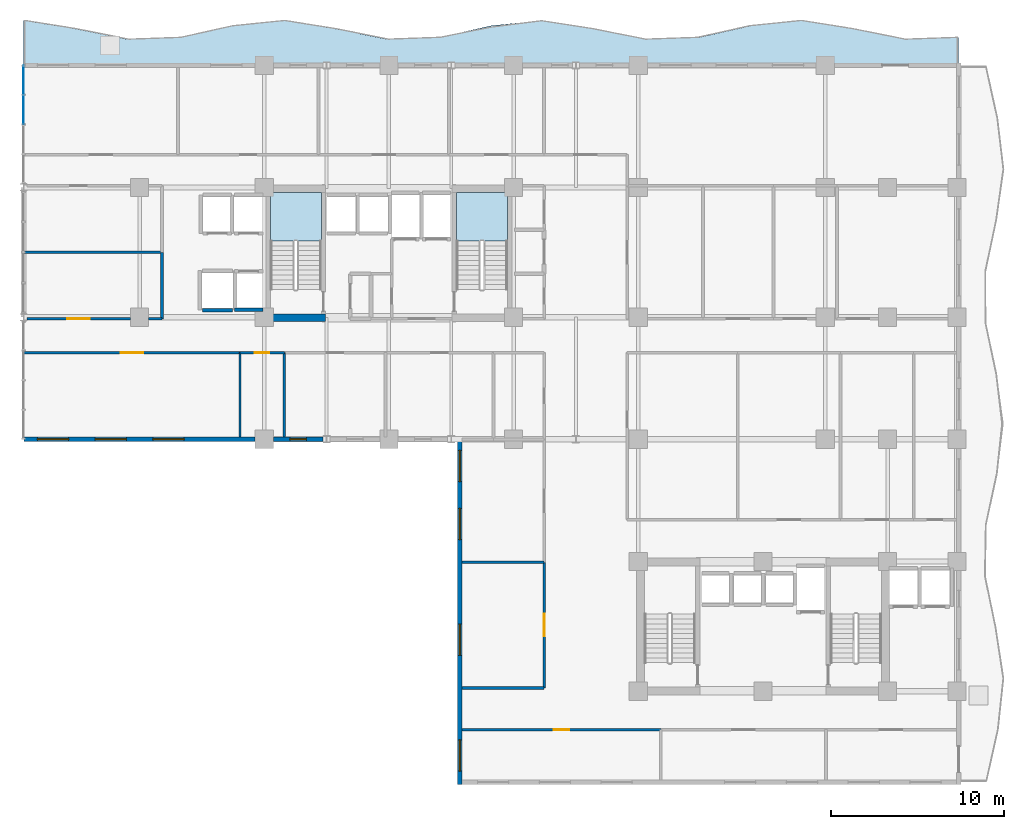
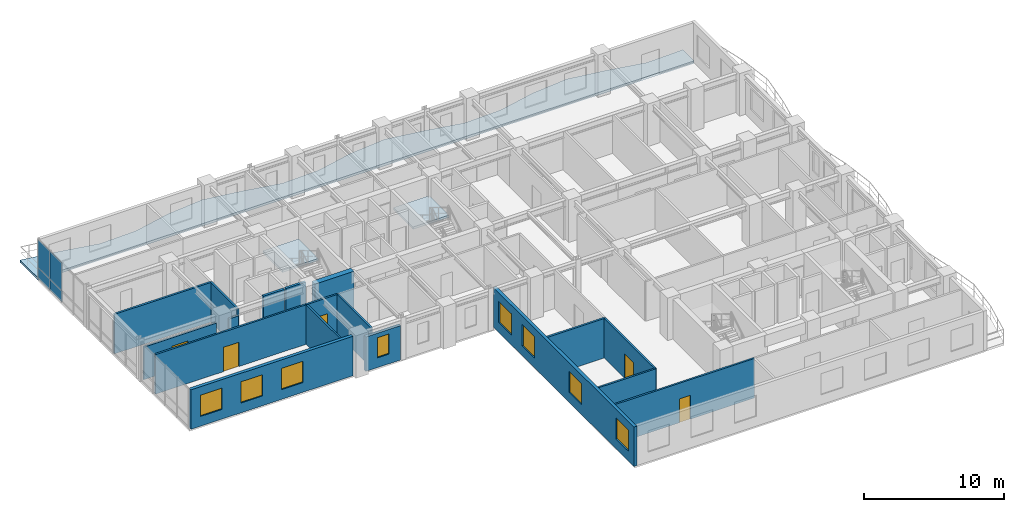
# One storey, part 10 of 19: 18 walls, 8 windows, 5 doors, 4 plates, 3 slabs, 13 openings, 3 elements without a shape of their own.
"""IFC4 building model written with IfcOpenShell, lengths in metres."""

from ifc_helpers import new_model, si_unit, direction, frame, frame_2d, origin, origin_2d, place, context, subcontext, project, spatial, polyline, rectangle, outline, extrude, source, transform, mapped, material, layer, layer_set, type_object, element, fill, aggregate, save


model = new_model("IFC4")

# Units and contexts
model_context = context("Model", 3, precision=1e-05, world=origin(), true_north=direction((0.0, 1.0)))
body_context = subcontext(model_context, "Body", "Model", "MODEL_VIEW")
ifc_project = project(units=[si_unit("LENGTHUNIT", "METRE"), si_unit("AREAUNIT", "SQUARE_METRE"), si_unit("VOLUMEUNIT", "CUBIC_METRE"), si_unit("PLANEANGLEUNIT", "RADIAN"), si_unit("MASSUNIT", "GRAM", prefix="KILO")], contexts=[model_context])

# Site, building, storey
site_placement = place(None, origin())
site = spatial("IfcSite", under=ifc_project, at=site_placement, CompositionType="ELEMENT")
building_placement = place(site_placement, origin())
building = spatial("IfcBuilding", under=site, at=building_placement, Name="Kaliganga Portal Commons", CompositionType="ELEMENT")
storey_placement = place(building_placement, frame((0.0, 0.0, 140.199951171875)))
storey = spatial("IfcBuildingStorey", under=building, at=storey_placement, Name="L35", CompositionType="ELEMENT", Elevation=140.199951171875)

# Slab
ifc_material_1 = material(Name="Concrete C40/50", Category="concrete")
ifc_layer_1 = layer(ifc_material_1, 0.2099609375)
ifc_layer_set_1 = layer_set([ifc_layer_1], Name="Concrete C40/50")
slab_type_1 = type_object("IfcSlabType", Name="SLB-BALC-210", PredefinedType="FLOOR", material=ifc_layer_set_1)
slab_1_placement = place(storey_placement, frame((0.0, 0.0, -0.2099609375)))
element("IfcSlab", 1, at=slab_1_placement, inside=storey, type_object=slab_type_1, Name="Scalloped Tree-Planter Balcony Slab L35 balc_north", PredefinedType="FLOOR", context=body_context, shape_type="SweptSolid", body=[
    extrude(outline(polyline([(54.5, 43.199951171875), (54.5, 44.8125), (51.5, 44.7060546875), (48.5, 45.31201171875), (45.5, 45.79296875), (42.5, 45.484130859375), (39.5, 44.8125), (36.5, 44.7060546875), (33.5, 45.31201171875), (30.5, 45.79296875), (27.5, 45.484130859375), (24.5, 44.8125), (21.5, 44.7060546875), (18.5, 45.31201171875), (15.5, 45.79296875), (12.5, 45.484130859375), (9.5, 44.8125), (6.5, 44.7060546875), (3.5, 45.31201171875), (0.5, 45.79296875), (0.5, 43.199951171875), (54.5, 43.199951171875)])), origin(), (0.0, 0.0, 1.0), 0.2099609375),
])

# Stair, slab
stair_type = type_object("IfcStairType", Name="ST-CORE-DOGLEG", PredefinedType="HALF_TURN_STAIR", material=ifc_material_1)
stair_1_placement = place(storey_placement, origin())
stair_1 = element("IfcStair", 2, at=stair_1_placement, inside=storey, type_object=stair_type, Name="L35 Protected Exit Stair ST-A1", PredefinedType="HALF_TURN_STAIR")
ifc_layer_2 = layer(ifc_material_1, 0.199951171875)
ifc_layer_set_2 = layer_set([ifc_layer_2], Name="Concrete C40/50")
slab_type_2 = type_object("IfcSlabType", Name="SLB-STAIR-LND", PredefinedType="LANDING", material=ifc_layer_set_2)
slab_2_placement = place(storey_placement, frame((0.0, 0.0, 1.650146484375)))
slab_2 = element("IfcSlab", 3, at=slab_2_placement, type_object=slab_type_2, Name="ST-A1 landing 1", PredefinedType="LANDING", context=body_context, shape_type="SweptSolid", body=[
    extrude(outline(polyline([(17.699951171875, 33.050048828125), (17.699951171875, 35.85009765625), (14.75, 35.85009765625), (14.75, 33.050048828125), (17.699951171875, 33.050048828125)])), origin(), (0.0, 0.0, 1.0), 0.199951171875),
])
aggregate(stair_1, [slab_2])

stair_2_placement = place(storey_placement, origin())
stair_2 = element("IfcStair", 4, at=stair_2_placement, inside=storey, type_object=stair_type, Name="L35 Protected Exit Stair ST-A2", PredefinedType="HALF_TURN_STAIR")
slab_3_placement = place(storey_placement, frame((0.0, 0.0, 1.650146484375)))
slab_3 = element("IfcSlab", 5, at=slab_3_placement, type_object=slab_type_2, Name="ST-A2 landing 1", PredefinedType="LANDING", context=body_context, shape_type="SweptSolid", body=[
    extrude(outline(polyline([(28.449951171875, 33.050048828125), (28.449951171875, 35.85009765625), (25.5, 35.85009765625), (25.5, 33.050048828125), (28.449951171875, 33.050048828125)])), origin(), (0.0, 0.0, 1.0), 0.199951171875),
])
aggregate(stair_2, [slab_3])

# Curtain wall, plates
ifc_material_2 = material(Name="Anodized Aluminium and Laminated Low-E Glass", Category="aluminium")
ifc_layer_3 = layer(ifc_material_2, 0.199951171875)
ifc_layer_set_3 = layer_set([ifc_layer_3], Name="Anodized Aluminium and Laminated Low-E Glass")
curtain_wall_type = type_object("IfcCurtainWallType", Name="CW-SYS-02", PredefinedType="NOTDEFINED", material=ifc_layer_set_3)
curtain_wall_placement = place(storey_placement, origin())
curtain_wall = element("IfcCurtainWall", 6, at=curtain_wall_placement, inside=storey, type_object=curtain_wall_type, Name="CW 02 L35 P1E03S1", PredefinedType="NOTDEFINED")
ifc_material_3 = material(Name="Insulated Dark Spandrel Panel", Category="metal")
ifc_layer_4 = layer(ifc_material_3, 0.044921875)
ifc_layer_set_4 = layer_set([ifc_layer_4], Name="Insulated Dark Spandrel Panel")
plate_type_1 = type_object("IfcPlateType", Name="PLT-SPN-45", PredefinedType="SHEET", material=ifc_layer_set_4)
shared_shape_1 = source(origin(), body_context, "Body", "SweptSolid", [
    extrude(rectangle(XDim=1.67041015625, YDim=0.044921875, at=origin_2d()), origin(), (0.0, 0.0, 1.0), 0.929931640625),
])
plate_1_placement = place(storey_placement, frame((0.5, 42.3447265625, 0.01025390625), z_axis=(0.0, 0.0, 1.0), x_axis=(0.0, -1.0, 0.0)))
plate_1 = element("IfcPlate", 7, at=plate_1_placement, type_object=plate_type_1, Name="CW:02:L35:P1E03S1 Spandrel 00", PredefinedType="SHEET", context=body_context, shape_type="MappedRepresentation", body=[
    mapped(shared_shape_1, transform((0.0, 0.0, 0.0), x_axis=(1.0, 0.0, 0.0), y_axis=(0.0, 1.0, 0.0), z_axis=(0.0, 0.0, 1.0), scale=1.0)),
])
plate_2_placement = place(storey_placement, frame((0.5, 40.63427734375, 0.01025390625), z_axis=(0.0, 0.0, 1.0), x_axis=(0.0, -1.0, 0.0)))
plate_2 = element("IfcPlate", 8, at=plate_2_placement, type_object=plate_type_1, Name="CW:02:L35:P1E03S1 Spandrel 01", PredefinedType="SHEET", context=body_context, shape_type="MappedRepresentation", body=[
    mapped(shared_shape_1, transform((0.0, 0.0, 0.0), x_axis=(1.0, 0.0, 0.0), y_axis=(0.0, 1.0, 0.0), z_axis=(0.0, 0.0, 1.0), scale=1.0)),
])
ifc_material_4 = material(Name="Dark Solar-Control Laminated Low-E IGU", Category="glass")
ifc_layer_5 = layer(ifc_material_4, 0.028076171875)
ifc_layer_set_5 = layer_set([ifc_layer_5], Name="Dark Solar-Control Laminated Low-E IGU")
plate_type_2 = type_object("IfcPlateType", Name="PLT-GLZ-28", PredefinedType="CURTAIN_PANEL", material=ifc_layer_set_5)
shared_shape_2 = source(origin(), body_context, "Body", "SweptSolid", [
    extrude(rectangle(XDim=1.67041015625, YDim=0.028076171875, at=origin_2d()), origin(), (0.0, 0.0, 1.0), 2.409912109375),
])
plate_3_placement = place(storey_placement, frame((0.5, 42.3447265625, 0.9599609375), z_axis=(0.0, 0.0, 1.0), x_axis=(0.0, -1.0, 0.0)))
plate_3 = element("IfcPlate", 9, at=plate_3_placement, type_object=plate_type_2, Name="CW:02:L35:P1E03S1 Vision IGU 00", PredefinedType="CURTAIN_PANEL", context=body_context, shape_type="MappedRepresentation", body=[
    mapped(shared_shape_2, transform((0.0, 0.0, 0.0), x_axis=(1.0, 0.0, 0.0), y_axis=(0.0, 1.0, 0.0), z_axis=(0.0, 0.0, 1.0), scale=1.0)),
])
plate_4_placement = place(storey_placement, frame((0.5, 40.63427734375, 0.9599609375), z_axis=(0.0, 0.0, 1.0), x_axis=(0.0, -1.0, 0.0)))
plate_4 = element("IfcPlate", 10, at=plate_4_placement, type_object=plate_type_2, Name="CW:02:L35:P1E03S1 Vision IGU 01", PredefinedType="CURTAIN_PANEL", context=body_context, shape_type="MappedRepresentation", body=[
    mapped(shared_shape_2, transform((0.0, 0.0, 0.0), x_axis=(1.0, 0.0, 0.0), y_axis=(0.0, 1.0, 0.0), z_axis=(0.0, 0.0, 1.0), scale=1.0)),
])
aggregate(curtain_wall, [plate_1, plate_3, plate_2, plate_4])

# Wall
ifc_material_5 = material(Name="Concrete C60/75", Category="concrete")
ifc_layer_6 = layer(ifc_material_5, 0.449951171875)
ifc_layer_set_6 = layer_set([ifc_layer_6], Name="Concrete C60/75")
wall_type_1 = type_object("IfcWallType", Name="WL-CORE-450", PredefinedType="SHEAR", material=ifc_layer_set_6)
wall_1_placement = place(storey_placement, frame((14.75, 28.625, 0.0), z_axis=(0.0, 0.0, 1.0), x_axis=(1.0, 0.0, 0.0)))
element("IfcWall", 11, at=wall_1_placement, inside=storey, type_object=wall_type_1, Name="Core A S-West Shear Wall L35", PredefinedType="SHEAR", context=body_context, shape_type="SweptSolid", body=[
    extrude(rectangle(XDim=3.199951171875, YDim=0.449951171875, at=frame_2d((1.60009765625, 0.0))), origin(), (0.0, 0.0, 1.0), 3.4599609375),
])

# Wall, openings, windows
ifc_material_6 = material(Name="Insulated Aluminium-Clad Spandrel Assembly", Category="aluminium")
ifc_layer_7 = layer(ifc_material_6, 0.260009765625)
ifc_layer_set_7 = layer_set([ifc_layer_7], Name="Insulated Aluminium-Clad Spandrel Assembly")
wall_type_2 = type_object("IfcWallType", Name="WL-EXT-SPAND-260", PredefinedType="STANDARD", material=ifc_layer_set_7)
wall_2_placement = place(storey_placement, frame((13.8740234375, 21.60009765625, 0.0), z_axis=(0.0, 0.0, 1.0), x_axis=(-1.0, 0.0, 0.0)))
wall_2 = element("IfcWall", 12, at=wall_2_placement, inside=storey, type_object=wall_type_2, Name="Exterior Envelope Wall L35 P1-E04-S1", PredefinedType="STANDARD", context=body_context, shape_type="SweptSolid", body=[
    extrude(rectangle(XDim=13.3369140625, YDim=0.260009765625, at=frame_2d((6.66845703125, 0.0))), origin(), (0.0, 0.0, 1.0), 3.43994140625),
])
opening_1_placement = place(wall_2_placement, frame((4.101318359375, 0.0, 0.85009765625)))
opening_1 = element("IfcOpeningElement", 13, at=opening_1_placement, cuts=wall_2, Name="Opening W-01", PredefinedType="OPENING", context=body_context, shape_type="SweptSolid", body=[
    extrude(rectangle(XDim=1.800048828125, YDim=1.85009765625, at=frame_2d((0.89990234375, 0.925048828125))), frame((0.0, 0.14013671875, 0.0), z_axis=(0.0, -1.0, 0.0), x_axis=(1.0, 0.0, 0.0)), (0.0, 0.0, 1.0), 0.280029296875),
])
opening_2_placement = place(wall_2_placement, frame((7.435546875, 0.0, 0.85009765625)))
opening_2 = element("IfcOpeningElement", 14, at=opening_2_placement, cuts=wall_2, Name="Opening W-01", PredefinedType="OPENING", context=body_context, shape_type="SweptSolid", body=[
    extrude(rectangle(XDim=1.800048828125, YDim=1.85009765625, at=frame_2d((0.89990234375, 0.925048828125))), frame((0.0, 0.14013671875, 0.0), z_axis=(0.0, -1.0, 0.0), x_axis=(1.0, 0.0, 0.0)), (0.0, 0.0, 1.0), 0.280029296875),
])
opening_3_placement = place(wall_2_placement, frame((10.77001953125, 0.0, 0.85009765625)))
opening_3 = element("IfcOpeningElement", 15, at=opening_3_placement, cuts=wall_2, Name="Opening W-01", PredefinedType="OPENING", context=body_context, shape_type="SweptSolid", body=[
    extrude(rectangle(XDim=1.800048828125, YDim=1.85009765625, at=frame_2d((0.89990234375, 0.925048828125))), frame((0.0, 0.14013671875, 0.0), z_axis=(0.0, -1.0, 0.0), x_axis=(1.0, 0.0, 0.0)), (0.0, 0.0, 1.0), 0.280029296875),
])
ifc_material_7 = material(Name="Thermally Broken Aluminium and Low-E Double Glazing", Category="aluminium")
window_type_1 = type_object("IfcWindowType", Name="WIN-STD-1800", PartitioningType="DOUBLE_PANEL_VERTICAL", PredefinedType="WINDOW", material=ifc_material_7)
window_1_placement = place(opening_1_placement, origin())
window_1 = element("IfcWindow", 16, at=window_1_placement, inside=storey, type_object=window_type_1, Name="Facade Window L35-P1E04S1-01", OverallHeight=1.85009765625, OverallWidth=1.800048828125, PartitioningType="SINGLE_PANEL", PredefinedType="WINDOW", context=body_context, shape_type="SweptSolid", body=[
    extrude(rectangle(XDim=1.800048828125, YDim=1.85009765625, at=frame_2d((0.89990234375, 0.925048828125))), frame((0.0, 0.030029296875, 0.0), z_axis=(0.0, -1.0, 0.0), x_axis=(1.0, 0.0, 0.0)), (0.0, 0.0, 1.0), 0.06005859375),
])
fill(opening_1, window_1)
window_2_placement = place(opening_2_placement, origin())
window_2 = element("IfcWindow", 17, at=window_2_placement, inside=storey, type_object=window_type_1, Name="Facade Window L35-P1E04S1-02", OverallHeight=1.85009765625, OverallWidth=1.800048828125, PartitioningType="SINGLE_PANEL", PredefinedType="WINDOW", context=body_context, shape_type="SweptSolid", body=[
    extrude(rectangle(XDim=1.800048828125, YDim=1.85009765625, at=frame_2d((0.89990234375, 0.925048828125))), frame((0.0, 0.030029296875, 0.0), z_axis=(0.0, -1.0, 0.0), x_axis=(1.0, 0.0, 0.0)), (0.0, 0.0, 1.0), 0.06005859375),
])
fill(opening_2, window_2)
window_3_placement = place(opening_3_placement, origin())
window_3 = element("IfcWindow", 18, at=window_3_placement, inside=storey, type_object=window_type_1, Name="Facade Window L35-P1E04S1-03", OverallHeight=1.85009765625, OverallWidth=1.800048828125, PartitioningType="SINGLE_PANEL", PredefinedType="WINDOW", context=body_context, shape_type="SweptSolid", body=[
    extrude(rectangle(XDim=1.800048828125, YDim=1.85009765625, at=frame_2d((0.89990234375, 0.925048828125))), frame((0.0, 0.030029296875, 0.0), z_axis=(0.0, -1.0, 0.0), x_axis=(1.0, 0.0, 0.0)), (0.0, 0.0, 1.0), 0.06005859375),
])
fill(opening_3, window_3)

# Wall, opening, window
wall_3_placement = place(storey_placement, frame((17.797119140625, 21.60009765625, 0.0), z_axis=(0.0, 0.0, 1.0), x_axis=(-1.0, 0.0, 0.0)))
wall_3 = element("IfcWall", 19, at=wall_3_placement, inside=storey, type_object=wall_type_2, Name="Exterior Envelope Wall L35 P1-E04-S2", PredefinedType="STANDARD", context=body_context, shape_type="SweptSolid", body=[
    extrude(rectangle(XDim=2.87109375, YDim=0.260009765625, at=frame_2d((1.435546875, 0.0))), origin(), (0.0, 0.0, 1.0), 2.989990234375),
])
opening_4_placement = place(wall_3_placement, frame((0.96044921875, 0.0, 0.85009765625)))
opening_4 = element("IfcOpeningElement", 20, at=opening_4_placement, cuts=wall_3, Name="Opening W-04", PredefinedType="OPENING", context=body_context, shape_type="SweptSolid", body=[
    extrude(rectangle(XDim=0.949951171875, YDim=1.75, at=frame_2d((0.47509765625, 0.875))), frame((0.0, 0.14013671875, 0.0), z_axis=(0.0, -1.0, 0.0), x_axis=(1.0, 0.0, 0.0)), (0.0, 0.0, 1.0), 0.280029296875),
])
window_type_2 = type_object("IfcWindowType", Name="WIN-NARROW-950", PartitioningType="SINGLE_PANEL", PredefinedType="WINDOW", material=ifc_material_7)
window_4_placement = place(opening_4_placement, origin())
window_4 = element("IfcWindow", 21, at=window_4_placement, inside=storey, type_object=window_type_2, Name="Facade Window L35-P1E04S2-00", OverallHeight=1.75, OverallWidth=0.949951171875, PartitioningType="SINGLE_PANEL", PredefinedType="WINDOW", context=body_context, shape_type="SweptSolid", body=[
    extrude(rectangle(XDim=0.949951171875, YDim=1.75, at=frame_2d((0.47509765625, 0.875))), frame((0.0, 0.030029296875, 0.0), z_axis=(0.0, -1.0, 0.0), x_axis=(1.0, 0.0, 0.0)), (0.0, 0.0, 1.0), 0.06005859375),
])
fill(opening_4, window_4)

# Wall, openings, windows
wall_4_placement = place(storey_placement, frame((25.699951171875, 1.669921875, 0.0), z_axis=(0.0, 0.0, 1.0), x_axis=(0.0, 1.0, 0.0)))
wall_4 = element("IfcWall", 22, at=wall_4_placement, inside=storey, type_object=wall_type_2, Name="Exterior Envelope Wall L35 P1-E05-S1", PredefinedType="STANDARD", context=body_context, shape_type="SweptSolid", body=[
    extrude(rectangle(XDim=20.06005859375, YDim=0.260009765625, at=frame_2d((10.030029296875, 0.0))), origin(), (0.0, 0.0, 1.0), 3.43994140625),
])
opening_5_placement = place(wall_4_placement, frame((0.771728515625, 0.0, 0.85009765625)))
opening_5 = element("IfcOpeningElement", 23, at=opening_5_placement, cuts=wall_4, Name="Opening W-01", PredefinedType="OPENING", context=body_context, shape_type="SweptSolid", body=[
    extrude(rectangle(XDim=1.800048828125, YDim=1.85009765625, at=frame_2d((0.89990234375, 0.925048828125))), frame((0.0, 0.14013671875, 0.0), z_axis=(0.0, -1.0, 0.0), x_axis=(1.0, 0.0, 0.0)), (0.0, 0.0, 1.0), 0.280029296875),
])
opening_6_placement = place(wall_4_placement, frame((7.458251953125, 0.0, 0.85009765625)))
opening_6 = element("IfcOpeningElement", 24, at=opening_6_placement, cuts=wall_4, Name="Opening W-01", PredefinedType="OPENING", context=body_context, shape_type="SweptSolid", body=[
    extrude(rectangle(XDim=1.800048828125, YDim=1.85009765625, at=frame_2d((0.89990234375, 0.925048828125))), frame((0.0, 0.14013671875, 0.0), z_axis=(0.0, -1.0, 0.0), x_axis=(1.0, 0.0, 0.0)), (0.0, 0.0, 1.0), 0.280029296875),
])
opening_7_placement = place(wall_4_placement, frame((14.14501953125, 0.0, 0.85009765625)))
opening_7 = element("IfcOpeningElement", 25, at=opening_7_placement, cuts=wall_4, Name="Opening W-01", PredefinedType="OPENING", context=body_context, shape_type="SweptSolid", body=[
    extrude(rectangle(XDim=1.800048828125, YDim=1.85009765625, at=frame_2d((0.89990234375, 0.925048828125))), frame((0.0, 0.14013671875, 0.0), z_axis=(0.0, -1.0, 0.0), x_axis=(1.0, 0.0, 0.0)), (0.0, 0.0, 1.0), 0.280029296875),
])
opening_8_placement = place(wall_4_placement, frame((17.48828125, 0.0, 0.85009765625)))
opening_8 = element("IfcOpeningElement", 26, at=opening_8_placement, cuts=wall_4, Name="Opening W-01", PredefinedType="OPENING", context=body_context, shape_type="SweptSolid", body=[
    extrude(rectangle(XDim=1.800048828125, YDim=1.85009765625, at=frame_2d((0.89990234375, 0.925048828125))), frame((0.0, 0.14013671875, 0.0), z_axis=(0.0, -1.0, 0.0), x_axis=(1.0, 0.0, 0.0)), (0.0, 0.0, 1.0), 0.280029296875),
])
window_5_placement = place(opening_5_placement, origin())
window_5 = element("IfcWindow", 27, at=window_5_placement, inside=storey, type_object=window_type_1, Name="Facade Window L35-P1E05S1-00", OverallHeight=1.85009765625, OverallWidth=1.800048828125, PartitioningType="SINGLE_PANEL", PredefinedType="WINDOW", context=body_context, shape_type="SweptSolid", body=[
    extrude(rectangle(XDim=1.800048828125, YDim=1.85009765625, at=frame_2d((0.89990234375, 0.925048828125))), frame((0.0, 0.030029296875, 0.0), z_axis=(0.0, -1.0, 0.0), x_axis=(1.0, 0.0, 0.0)), (0.0, 0.0, 1.0), 0.06005859375),
])
fill(opening_5, window_5)
window_6_placement = place(opening_6_placement, origin())
window_6 = element("IfcWindow", 28, at=window_6_placement, inside=storey, type_object=window_type_1, Name="Facade Window L35-P1E05S1-02", OverallHeight=1.85009765625, OverallWidth=1.800048828125, PartitioningType="SINGLE_PANEL", PredefinedType="WINDOW", context=body_context, shape_type="SweptSolid", body=[
    extrude(rectangle(XDim=1.800048828125, YDim=1.85009765625, at=frame_2d((0.89990234375, 0.925048828125))), frame((0.0, 0.030029296875, 0.0), z_axis=(0.0, -1.0, 0.0), x_axis=(1.0, 0.0, 0.0)), (0.0, 0.0, 1.0), 0.06005859375),
])
fill(opening_6, window_6)
window_7_placement = place(opening_7_placement, origin())
window_7 = element("IfcWindow", 29, at=window_7_placement, inside=storey, type_object=window_type_1, Name="Facade Window L35-P1E05S1-04", OverallHeight=1.85009765625, OverallWidth=1.800048828125, PartitioningType="SINGLE_PANEL", PredefinedType="WINDOW", context=body_context, shape_type="SweptSolid", body=[
    extrude(rectangle(XDim=1.800048828125, YDim=1.85009765625, at=frame_2d((0.89990234375, 0.925048828125))), frame((0.0, 0.030029296875, 0.0), z_axis=(0.0, -1.0, 0.0), x_axis=(1.0, 0.0, 0.0)), (0.0, 0.0, 1.0), 0.06005859375),
])
fill(opening_7, window_7)
window_8_placement = place(opening_8_placement, origin())
window_8 = element("IfcWindow", 30, at=window_8_placement, inside=storey, type_object=window_type_1, Name="Facade Window L35-P1E05S1-05", OverallHeight=1.85009765625, OverallWidth=1.800048828125, PartitioningType="SINGLE_PANEL", PredefinedType="WINDOW", context=body_context, shape_type="SweptSolid", body=[
    extrude(rectangle(XDim=1.800048828125, YDim=1.85009765625, at=frame_2d((0.89990234375, 0.925048828125))), frame((0.0, 0.030029296875, 0.0), z_axis=(0.0, -1.0, 0.0), x_axis=(1.0, 0.0, 0.0)), (0.0, 0.0, 1.0), 0.06005859375),
])
fill(opening_8, window_8)

# Wall, opening, door
ifc_material_8 = material(Name="Fire-Rated Gypsum Board on Steel Stud", Category="steel")
ifc_layer_8 = layer(ifc_material_8, 0.14990234375)
ifc_layer_set_8 = layer_set([ifc_layer_8], Name="Fire-Rated Gypsum Board on Steel Stud")
wall_type_3 = type_object("IfcWallType", Name="WL-PART-CORR-150", PredefinedType="PARTITIONING", material=ifc_layer_set_8)
wall_5_placement = place(storey_placement, frame((0.52001953125, 26.60009765625, 0.0), z_axis=(0.0, 0.0, 1.0), x_axis=(1.0, 0.0, 0.0)))
wall_5 = element("IfcWall", 31, at=wall_5_placement, inside=storey, type_object=wall_type_3, Name="Interior Partition L35-001", PredefinedType="PARTITIONING", context=body_context, shape_type="SweptSolid", body=[
    extrude(rectangle(XDim=12.47998046875, YDim=0.14990234375, at=frame_2d((6.239990234375, 0.0))), origin(), (0.0, 0.0, 1.0), 3.43994140625),
])
opening_9_placement = place(wall_5_placement, frame((5.590087890625, 0.0, 0.0)))
opening_9 = element("IfcOpeningElement", 32, at=opening_9_placement, cuts=wall_5, Name="Opening RD-03", PredefinedType="OPENING", context=body_context, shape_type="SweptSolid", body=[
    extrude(rectangle(XDim=1.300048828125, YDim=2.1201171875, at=frame_2d((0.64990234375, 1.06005859375))), frame((0.0, 0.0849609375, 0.0), z_axis=(0.0, -1.0, 0.0), x_axis=(1.0, 0.0, 0.0)), (0.0, 0.0, 1.0), 0.169921875),
])
ifc_material_9 = material(Name="Glazed Timber Seminar Vision Door", Category="wood")
door_type_1 = type_object("IfcDoorType", Name="DR-STUDY-1300", OperationType="DOUBLE_DOOR_SINGLE_SWING", PredefinedType="DOOR", material=ifc_material_9)
door_1_placement = place(opening_9_placement, origin())
door_1 = element("IfcDoor", 33, at=door_1_placement, inside=storey, type_object=door_type_1, Name="Interior Door L35-AS01", OperationType="DOUBLE_DOOR_SINGLE_SWING", OverallHeight=2.1201171875, OverallWidth=1.300048828125, PredefinedType="DOOR", context=body_context, shape_type="SweptSolid", body=[
    extrude(rectangle(XDim=1.300048828125, YDim=2.1201171875, at=frame_2d((0.64990234375, 1.06005859375))), frame((0.0, 0.02490234375, 0.0), z_axis=(0.0, -1.0, 0.0), x_axis=(1.0, 0.0, 0.0)), (0.0, 0.0, 1.0), 0.050048828125),
])
fill(opening_9, door_1)

wall_6_placement = place(storey_placement, frame((25.83203125, 4.840087890625, 0.0), z_axis=(0.0, 0.0, 1.0), x_axis=(1.0, 0.0, 0.0)))
wall_6 = element("IfcWall", 34, at=wall_6_placement, inside=storey, type_object=wall_type_3, Name="Interior Partition L35-002", PredefinedType="PARTITIONING", context=body_context, shape_type="SweptSolid", body=[
    extrude(rectangle(XDim=11.468017578125, YDim=0.14990234375, at=frame_2d((5.73388671875, 0.0))), origin(), (0.0, 0.0, 1.0), 3.43994140625),
])
opening_10_placement = place(wall_6_placement, frame((5.283935546875, 0.0, 0.0)))
opening_10 = element("IfcOpeningElement", 35, at=opening_10_placement, cuts=wall_6, Name="Opening RD-01", PredefinedType="OPENING", context=body_context, shape_type="SweptSolid", body=[
    extrude(rectangle(XDim=0.89990234375, YDim=2.080078125, at=frame_2d((0.449951171875, 1.0400390625))), frame((0.0, 0.0849609375, 0.0), z_axis=(0.0, -1.0, 0.0), x_axis=(1.0, 0.0, 0.0)), (0.0, 0.0, 1.0), 0.169921875),
])
ifc_material_10 = material(Name="Engineered Timber Flush Door", Category="wood")
door_type_2 = type_object("IfcDoorType", Name="DR-ROOM-900", OperationType="NOTDEFINED", PredefinedType="DOOR", material=ifc_material_10)
door_2_placement = place(opening_10_placement, origin())
door_2 = element("IfcDoor", 36, at=door_2_placement, inside=storey, type_object=door_type_2, Name="Interior Door L35-BS01", OperationType="SINGLE_SWING_LEFT", OverallHeight=2.080078125, OverallWidth=0.89990234375, PredefinedType="DOOR", context=body_context, shape_type="SweptSolid", body=[
    extrude(rectangle(XDim=0.89990234375, YDim=2.080078125, at=frame_2d((0.449951171875, 1.0400390625))), frame((0.0, 0.02490234375, 0.0), z_axis=(0.0, -1.0, 0.0), x_axis=(1.0, 0.0, 0.0)), (0.0, 0.0, 1.0), 0.050048828125),
])
fill(opening_10, door_2)

wall_7_placement = place(storey_placement, frame((0.701904296875, 28.56005859375, 0.0), z_axis=(0.0, 0.0, 1.0), x_axis=(1.0, 0.0, 0.0)))
wall_7 = element("IfcWall", 37, at=wall_7_placement, inside=storey, type_object=wall_type_3, Name="Interior Partition L35-007", PredefinedType="PARTITIONING", context=body_context, shape_type="SweptSolid", body=[
    extrude(rectangle(XDim=5.97314453125, YDim=0.14990234375, at=frame_2d((2.986572265625, 0.0))), origin(), (0.0, 0.0, 1.0), 2.840087890625),
])
opening_11_placement = place(wall_7_placement, frame((2.33642578125, 0.0, 0.0)))
opening_11 = element("IfcOpeningElement", 38, at=opening_11_placement, cuts=wall_7, Name="Opening RD-03", PredefinedType="OPENING", context=body_context, shape_type="SweptSolid", body=[
    extrude(rectangle(XDim=1.300048828125, YDim=2.1201171875, at=frame_2d((0.64990234375, 1.06005859375))), frame((0.0, 0.0849609375, 0.0), z_axis=(0.0, -1.0, 0.0), x_axis=(1.0, 0.0, 0.0)), (0.0, 0.0, 1.0), 0.169921875),
])
door_3_placement = place(opening_11_placement, origin())
door_3 = element("IfcDoor", 39, at=door_3_placement, inside=storey, type_object=door_type_1, Name="Interior Door L35-AW01", OperationType="DOUBLE_DOOR_SINGLE_SWING", OverallHeight=2.1201171875, OverallWidth=1.300048828125, PredefinedType="DOOR", context=body_context, shape_type="SweptSolid", body=[
    extrude(rectangle(XDim=1.300048828125, YDim=2.1201171875, at=frame_2d((0.64990234375, 1.06005859375))), frame((0.0, 0.02490234375, 0.0), z_axis=(0.0, -1.0, 0.0), x_axis=(1.0, 0.0, 0.0)), (0.0, 0.0, 1.0), 0.050048828125),
])
fill(opening_11, door_3)

# Wall
wall_8_placement = place(storey_placement, frame((7.72509765625, 28.56005859375, 0.0), z_axis=(0.0, 0.0, 1.0), x_axis=(1.0, 0.0, 0.0)))
element("IfcWall", 40, at=wall_8_placement, inside=storey, type_object=wall_type_3, Name="Interior Partition L35-008", PredefinedType="PARTITIONING", context=body_context, shape_type="SweptSolid", body=[
    extrude(rectangle(XDim=0.77490234375, YDim=0.14990234375, at=frame_2d((0.387451171875, 0.0))), origin(), (0.0, 0.0, 1.0), 2.840087890625),
])

# Wall, opening, door
wall_9_placement = place(storey_placement, frame((30.56005859375, 7.239990234375, 0.0), z_axis=(0.0, 0.0, 1.0), x_axis=(0.0, 1.0, 0.0)))
wall_9 = element("IfcWall", 41, at=wall_9_placement, inside=storey, type_object=wall_type_3, Name="Interior Partition L35-014", PredefinedType="PARTITIONING", context=body_context, shape_type="SweptSolid", body=[
    extrude(rectangle(XDim=7.260009765625, YDim=0.14990234375, at=frame_2d((3.6298828125, 0.0))), origin(), (0.0, 0.0, 1.0), 3.43994140625),
])
opening_12_placement = place(wall_9_placement, frame((2.97998046875, 0.0, 0.0)))
opening_12 = element("IfcOpeningElement", 42, at=opening_12_placement, cuts=wall_9, Name="Opening RD-03", PredefinedType="OPENING", context=body_context, shape_type="SweptSolid", body=[
    extrude(rectangle(XDim=1.300048828125, YDim=2.1201171875, at=frame_2d((0.64990234375, 1.06005859375))), frame((0.0, 0.0849609375, 0.0), z_axis=(0.0, -1.0, 0.0), x_axis=(1.0, 0.0, 0.0)), (0.0, 0.0, 1.0), 0.169921875),
])
door_4_placement = place(opening_12_placement, origin())
door_4 = element("IfcDoor", 43, at=door_4_placement, inside=storey, type_object=door_type_1, Name="Interior Door L35-KW01", OperationType="DOUBLE_DOOR_SINGLE_SWING", OverallHeight=2.1201171875, OverallWidth=1.300048828125, PredefinedType="DOOR", context=body_context, shape_type="SweptSolid", body=[
    extrude(rectangle(XDim=1.300048828125, YDim=2.1201171875, at=frame_2d((0.64990234375, 1.06005859375))), frame((0.0, 0.02490234375, 0.0), z_axis=(0.0, -1.0, 0.0), x_axis=(1.0, 0.0, 0.0)), (0.0, 0.0, 1.0), 0.050048828125),
])
fill(opening_12, door_4)

# Walls
wall_10_placement = place(storey_placement, frame((25.83203125, 7.239990234375, 0.0), z_axis=(0.0, 0.0, 1.0), x_axis=(1.0, 0.0, 0.0)))
element("IfcWall", 44, at=wall_10_placement, inside=storey, type_object=wall_type_3, Name="Interior Partition L35-026", PredefinedType="PARTITIONING", context=body_context, shape_type="SweptSolid", body=[
    extrude(rectangle(XDim=4.72802734375, YDim=0.14990234375, at=frame_2d((2.364013671875, 0.0))), origin(), (0.0, 0.0, 1.0), 3.43994140625),
])
wall_11_placement = place(storey_placement, frame((8.5, 28.56005859375, 0.0), z_axis=(0.0, 0.0, 1.0), x_axis=(0.0, 1.0, 0.0)))
element("IfcWall", 45, at=wall_11_placement, inside=storey, type_object=wall_type_3, Name="Interior Partition L35-033", PredefinedType="PARTITIONING", context=body_context, shape_type="SweptSolid", body=[
    extrude(rectangle(XDim=3.83984375, YDim=0.14990234375, at=frame_2d((1.919921875, 0.0))), origin(), (0.0, 0.0, 1.0), 3.43994140625),
])

# Wall, opening, door
wall_12_placement = place(storey_placement, frame((13.0, 26.60009765625, 0.0), z_axis=(0.0, 0.0, 1.0), x_axis=(1.0, 0.0, 0.0)))
wall_12 = element("IfcWall", 46, at=wall_12_placement, inside=storey, type_object=wall_type_3, Name="Interior Partition L35-041", PredefinedType="PARTITIONING", context=body_context, shape_type="SweptSolid", body=[
    extrude(rectangle(XDim=2.56005859375, YDim=0.14990234375, at=frame_2d((1.280029296875, 0.0))), origin(), (0.0, 0.0, 1.0), 3.43994140625),
])
opening_13_placement = place(wall_12_placement, frame((0.85498046875, 0.0, 0.0)))
opening_13 = element("IfcOpeningElement", 47, at=opening_13_placement, cuts=wall_12, Name="Opening WD-01", PredefinedType="OPENING", context=body_context, shape_type="SweptSolid", body=[
    extrude(rectangle(XDim=0.85009765625, YDim=2.0400390625, at=frame_2d((0.425048828125, 1.02001953125))), frame((0.0, 0.0849609375, 0.0), z_axis=(0.0, -1.0, 0.0), x_axis=(1.0, 0.0, 0.0)), (0.0, 0.0, 1.0), 0.169921875),
])
ifc_material_11 = material(Name="Moisture-Resistant Laminate Timber Door", Category="wood")
door_type_3 = type_object("IfcDoorType", Name="DR-WET-850", OperationType="NOTDEFINED", PredefinedType="DOOR", material=ifc_material_11)
door_5_placement = place(opening_13_placement, origin())
door_5 = element("IfcDoor", 48, at=door_5_placement, inside=storey, type_object=door_type_3, Name="Interior Door L35-AS02", OperationType="SINGLE_SWING_LEFT", OverallHeight=2.0400390625, OverallWidth=0.85009765625, PredefinedType="DOOR", context=body_context, shape_type="SweptSolid", body=[
    extrude(rectangle(XDim=0.85009765625, YDim=2.0400390625, at=frame_2d((0.425048828125, 1.02001953125))), frame((0.0, 0.02490234375, 0.0), z_axis=(0.0, -1.0, 0.0), x_axis=(1.0, 0.0, 0.0)), (0.0, 0.0, 1.0), 0.050048828125),
])
fill(opening_13, door_5)

# Walls
ifc_material_12 = material(Name="Twin-Stud Acoustic Gypsum Partition", Category="gypsum")
ifc_layer_9 = layer(ifc_material_12, 0.1650390625)
ifc_layer_set_9 = layer_set([ifc_layer_9], Name="Twin-Stud Acoustic Gypsum Partition")
wall_type_4 = type_object("IfcWallType", Name="WL-PART-UNIT-165", PredefinedType="PARTITIONING", material=ifc_layer_set_9)
wall_13_placement = place(storey_placement, frame((0.52001953125, 32.39990234375, 0.0), z_axis=(0.0, 0.0, 1.0), x_axis=(1.0, 0.0, 0.0)))
element("IfcWall", 49, at=wall_13_placement, inside=storey, type_object=wall_type_4, Name="Interior Partition L35-054", PredefinedType="PARTITIONING", context=body_context, shape_type="SweptSolid", body=[
    extrude(rectangle(XDim=7.97998046875, YDim=0.1650390625, at=frame_2d((3.989990234375, 0.0))), origin(), (0.0, 0.0, 1.0), 3.43994140625),
])
wall_14_placement = place(storey_placement, frame((25.83203125, 14.5, 0.0), z_axis=(0.0, 0.0, 1.0), x_axis=(1.0, 0.0, 0.0)))
element("IfcWall", 50, at=wall_14_placement, inside=storey, type_object=wall_type_4, Name="Interior Partition L35-067", PredefinedType="PARTITIONING", context=body_context, shape_type="SweptSolid", body=[
    extrude(rectangle(XDim=4.72802734375, YDim=0.1650390625, at=frame_2d((2.364013671875, 0.0))), origin(), (0.0, 0.0, 1.0), 3.43994140625),
])
ifc_material_13 = material(Name="Cement-Board Wet-Room Partition", Category="gypsum")
ifc_layer_10 = layer(ifc_material_13, 0.135009765625)
ifc_layer_set_10 = layer_set([ifc_layer_10], Name="Cement-Board Wet-Room Partition")
wall_type_5 = type_object("IfcWallType", Name="WL-PART-WET-135", PredefinedType="PARTITIONING", material=ifc_layer_set_10)
for number, where, z_axis, x_axis, name in (
    (51, (13.0, 21.73193359375, 0.0), (0.0, 0.0, 1.0), (0.0, 1.0, 0.0), "Interior Partition L35-063"),
    (52, (15.56005859375, 21.73193359375, 0.0), (0.0, 0.0, 1.0), (0.0, 1.0, 0.0), "Interior Partition L35-064"),
):
    element("IfcWall", number, at=place(storey_placement, frame(where, z_axis=z_axis, x_axis=x_axis)), inside=storey, type_object=wall_type_5, Name=name, PredefinedType="PARTITIONING", context=body_context, shape_type="SweptSolid", body=[
        extrude(rectangle(XDim=4.8681640625, YDim=0.135009765625, at=frame_2d((2.43408203125, 0.0))), origin(), (0.0, 0.0, 1.0), 3.43994140625),
    ])
ifc_material_14 = material(Name="Fire-Rated Shaftwall Masonry Assembly", Category="masonry")
ifc_layer_11 = layer(ifc_material_14, 0.199951171875)
ifc_layer_set_11 = layer_set([ifc_layer_11], Name="Fire-Rated Shaftwall Masonry Assembly")
wall_type_6 = type_object("IfcWallType", Name="WL-SHAFT-200", PredefinedType="PARTITIONING", material=ifc_layer_set_11)
wall_15_placement = place(storey_placement, frame((10.824951171875, 29.06005859375, 0.0), z_axis=(0.0, 0.0, 1.0), x_axis=(1.0, 0.0, 0.0)))
element("IfcWall", 53, at=wall_15_placement, inside=storey, type_object=wall_type_6, Name="Lift SH-1 Hoistway Shaft Wall L35-S", PredefinedType="PARTITIONING", context=body_context, shape_type="SweptSolid", body=[
    extrude(rectangle(XDim=1.75, YDim=0.199951171875, at=frame_2d((0.875, 0.0))), origin(), (0.0, 0.0, 1.0), 3.43994140625),
])
wall_16_placement = place(storey_placement, frame((12.675048828125, 29.0849609375, 0.0), z_axis=(0.0, 0.0, 1.0), x_axis=(1.0, 0.0, 0.0)))
element("IfcWall", 54, at=wall_16_placement, inside=storey, type_object=wall_type_6, Name="Lift PL-A4 Hoistway Shaft Wall L35-S", PredefinedType="PARTITIONING", context=body_context, shape_type="SweptSolid", body=[
    extrude(rectangle(XDim=1.64990234375, YDim=0.199951171875, at=frame_2d((0.824951171875, 0.0))), origin(), (0.0, 0.0, 1.0), 3.43994140625),
])

save(model, "model.ifc")
